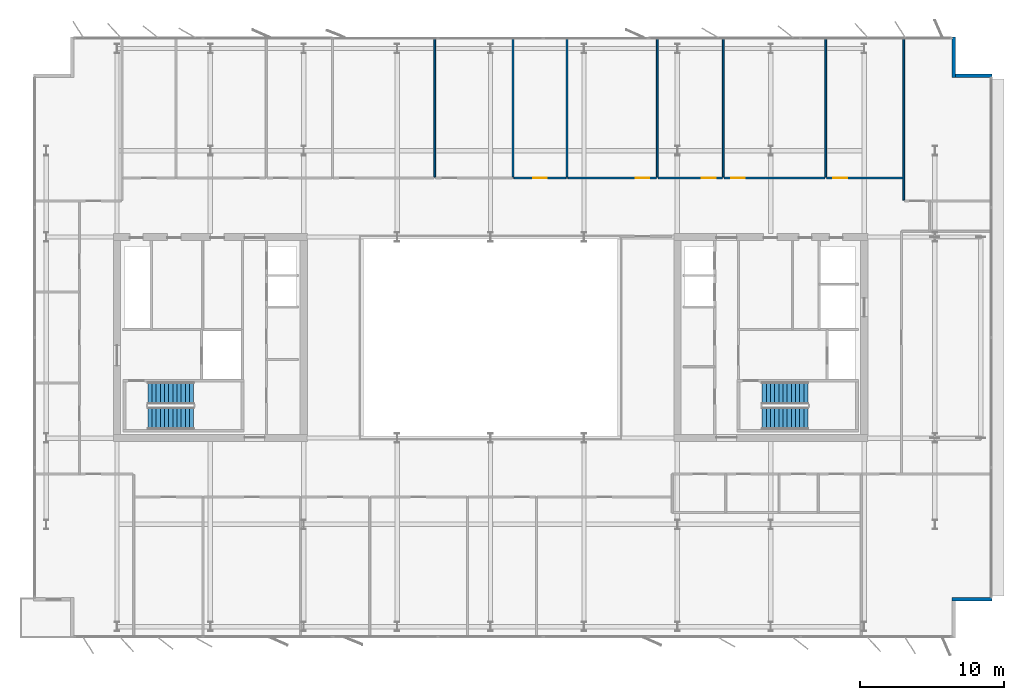
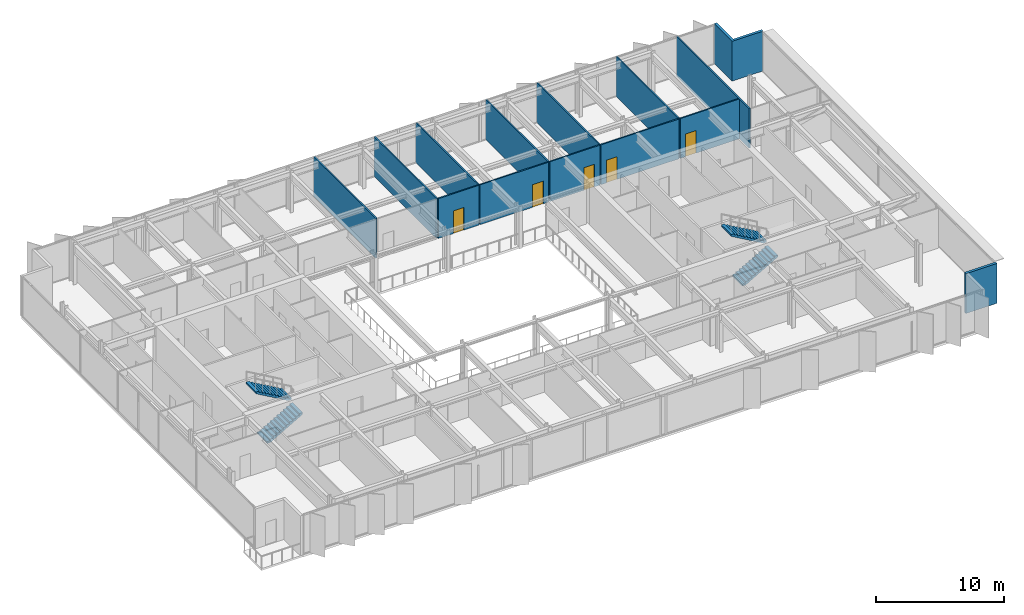
# One storey, part 16 of 20: 15 walls, 5 doors, 4 stair flights, 5 openings, 2 elements without a shape of their own.
"""IFC4 building model written with IfcOpenShell, lengths in metres."""

from ifc_helpers import new_model, si_unit, direction, frame, frame_2d, origin, place, context, subcontext, project, spatial, polyline, rectangle, outline, extrude, material, layer, layer_set, type_object, element, fill, aggregate, save


model = new_model("IFC4")

# Units and contexts
model_context = context("Model", 3, precision=1e-05, world=origin(), true_north=direction((0.0, 1.0)))
body_context = subcontext(model_context, "Body", "Model", "MODEL_VIEW")
ifc_project = project(units=[si_unit("LENGTHUNIT", "METRE"), si_unit("AREAUNIT", "SQUARE_METRE"), si_unit("VOLUMEUNIT", "CUBIC_METRE"), si_unit("PLANEANGLEUNIT", "RADIAN"), si_unit("MASSUNIT", "GRAM", prefix="KILO")], contexts=[model_context])

# Site, building, storey
site_placement = place(None, origin())
site = spatial("IfcSite", under=ifc_project, at=site_placement, CompositionType="ELEMENT")
building_placement = place(site_placement, origin())
building = spatial("IfcBuilding", under=site, at=building_placement, Name="Putna Gate Headquarters", CompositionType="ELEMENT")
storey_placement = place(building_placement, frame((0.0, 0.0, 298.39990234375)))
storey = spatial("IfcBuildingStorey", under=building, at=storey_placement, Name="L75", CompositionType="ELEMENT", Elevation=298.39990234375)

# Walls
ifc_material_1 = material(Name="Precast concrete C40/50", Category="concrete")
ifc_layer_1 = layer(ifc_material_1, 0.239990234375)
ifc_layer_set_1 = layer_set([ifc_layer_1], Name="Precast concrete C40/50")
wall_type_1 = type_object("IfcWallType", Name="WALL-EXT-TERR-240", PredefinedType="STANDARD", material=ifc_layer_set_1)
for number, where, z_axis, x_axis, name in (
    (1, (71.23095703125, 46.89990234375, 0.0), (0.0, 0.0, 1.0), (0.0, -1.0, 0.0), "L75 Corner Notch Return Wall NE-V"),
    (2, (71.111083984375, 44.219970703125, 0.0), (0.0, 0.0, 1.0), (1.0, 0.0, 0.0), "L75 Corner Notch Return Wall NE-H"),
    (3, (73.910888671875, 7.780029296875, 0.0), (0.0, 0.0, 1.0), (-1.0, 0.0, 0.0), "L75 Corner Notch Return Wall SE-H"),
):
    element("IfcWall", number, at=place(storey_placement, frame(where, z_axis=z_axis, x_axis=x_axis)), inside=storey, type_object=wall_type_1, Name=name, PredefinedType="STANDARD", context=body_context, shape_type="SweptSolid", body=[
        extrude(rectangle(XDim=2.7998046875, YDim=0.239990234375, at=frame_2d((1.39990234375, 0.0))), origin(), (0.0, 0.0, 1.0), 3.7880859375),
    ])
ifc_material_2 = material(Name="Acoustic gypsum board on metal stud")
ifc_layer_2 = layer(ifc_material_2, 0.1201171875)
ifc_layer_set_2 = layer_set([ifc_layer_2], Name="Acoustic gypsum board on metal stud")
wall_type_2 = type_object("IfcWallType", Name="WALL-PART-120", PredefinedType="PARTITIONING", material=ifc_layer_set_2)
for number, where, z_axis, x_axis, name in (
    (4, (35.11474609375, 37.159912109375, 0.0), (0.0, 0.0, 1.0), (0.0, 1.0, 0.0), "L75 Interior Wall PART-L75-NB-DIV-05"),
    (5, (40.555419921875, 37.159912109375, 0.0), (0.0, 0.0, 1.0), (0.0, 1.0, 0.0), "L75 Interior Wall PART-L75-NB-DIV-06"),
    (6, (44.317626953125, 37.159912109375, 0.0), (0.0, 0.0, 1.0), (0.0, 1.0, 0.0), "L75 Interior Wall PART-L75-NB-DIV-07"),
    (7, (50.594482421875, 37.159912109375, 0.0), (0.0, 0.0, 1.0), (0.0, 1.0, 0.0), "L75 Interior Wall PART-L75-NB-DIV-08"),
    (8, (55.19921875, 37.159912109375, 0.0), (0.0, 0.0, 1.0), (0.0, 1.0, 0.0), "L75 Interior Wall PART-L75-NB-DIV-09"),
    (9, (62.318603515625, 37.159912109375, 0.0), (0.0, 0.0, 1.0), (0.0, 1.0, 0.0), "L75 Interior Wall PART-L75-NB-DIV-10"),
):
    element("IfcWall", number, at=place(storey_placement, frame(where, z_axis=z_axis, x_axis=x_axis)), inside=storey, type_object=wall_type_2, Name=name, PredefinedType="PARTITIONING", context=body_context, shape_type="SweptSolid", body=[
        extrude(rectangle(XDim=9.719970703125, YDim=0.1201171875, at=frame_2d((4.85986328125, 0.0))), origin(), (0.0, 0.0, 1.0), 3.7880859375),
    ])
wall_1_placement = place(storey_placement, frame((67.759521484375, 35.56005859375, 0.0), z_axis=(0.0, 0.0, 1.0), x_axis=(0.0, 1.0, 0.0)))
element("IfcWall", 10, at=wall_1_placement, inside=storey, type_object=wall_type_2, Name="L75 Interior Wall PART-L75-NB-DIV-11", PredefinedType="PARTITIONING", context=body_context, shape_type="SweptSolid", body=[
    extrude(rectangle(XDim=11.31982421875, YDim=0.1201171875, at=frame_2d((5.659912109375, 0.0))), origin(), (0.0, 0.0, 1.0), 3.7880859375),
])

# Wall, opening, door
ifc_material_3 = material(Name="Fire-rated gypsum board on metal stud")
ifc_layer_3 = layer(ifc_material_3, 0.1201171875)
ifc_layer_set_3 = layer_set([ifc_layer_3], Name="Fire-rated gypsum board on metal stud")
wall_type_3 = type_object("IfcWallType", Name="WALL-PART-120-RATED", PredefinedType="PARTITIONING", material=ifc_layer_set_3)
wall_2_placement = place(storey_placement, frame((40.615478515625, 37.10009765625, 0.0), z_axis=(0.0, 0.0, 1.0), x_axis=(1.0, 0.0, 0.0)))
wall_2 = element("IfcWall", 11, at=wall_2_placement, inside=storey, type_object=wall_type_3, Name="L75 Interior Wall PART-L75-NB-CW-07", PredefinedType="PARTITIONING", context=body_context, shape_type="SweptSolid", body=[
    extrude(rectangle(XDim=3.64208984375, YDim=0.1201171875, at=frame_2d((1.821044921875, 0.0))), origin(), (0.0, 0.0, 1.0), 3.7880859375),
])
opening_1_placement = place(wall_2_placement, frame((1.345947265625, 0.0, 0.0)))
opening_1 = element("IfcOpeningElement", 12, at=opening_1_placement, cuts=wall_2, Name="Opening FD-95", PredefinedType="OPENING", context=body_context, shape_type="SweptSolid", body=[
    extrude(rectangle(XDim=0.949951171875, YDim=2.14990234375, at=frame_2d((0.47509765625, 1.074951171875))), frame((0.0, 0.070068359375, 0.0), z_axis=(0.0, -1.0, 0.0), x_axis=(1.0, 0.0, 0.0)), (0.0, 0.0, 1.0), 0.14013671875),
])
ifc_material_4 = material(Name="Acoustic timber fire door", Category="wood")
door_type = type_object("IfcDoorType", Name="DOOR-FIRE-950", OperationType="NOTDEFINED", PredefinedType="DOOR", material=ifc_material_4)
door_1_placement = place(opening_1_placement, origin())
door_1 = element("IfcDoor", 13, at=door_1_placement, inside=storey, type_object=door_type, Name="L75 Cellular Office 3 Door", OperationType="SINGLE_SWING_RIGHT", OverallHeight=2.14990234375, OverallWidth=0.949951171875, PredefinedType="DOOR", context=body_context, shape_type="SweptSolid", body=[
    extrude(rectangle(XDim=0.949951171875, YDim=2.14990234375, at=frame_2d((0.47509765625, 1.074951171875))), frame((0.0, 0.02490234375, 0.0), z_axis=(0.0, -1.0, 0.0), x_axis=(1.0, 0.0, 0.0)), (0.0, 0.0, 1.0), 0.050048828125),
])
fill(opening_1, door_1)

wall_3_placement = place(storey_placement, frame((44.377685546875, 37.10009765625, 0.0), z_axis=(0.0, 0.0, 1.0), x_axis=(1.0, 0.0, 0.0)))
wall_3 = element("IfcWall", 14, at=wall_3_placement, inside=storey, type_object=wall_type_3, Name="L75 Interior Wall PART-L75-NB-CW-08", PredefinedType="PARTITIONING", context=body_context, shape_type="SweptSolid", body=[
    extrude(rectangle(XDim=6.15673828125, YDim=0.1201171875, at=frame_2d((3.078369140625, 0.0))), origin(), (0.0, 0.0, 1.0), 3.7880859375),
])
opening_2_placement = place(wall_3_placement, frame((4.726806640625, 0.0, 0.0)))
opening_2 = element("IfcOpeningElement", 15, at=opening_2_placement, cuts=wall_3, Name="Opening FD-95", PredefinedType="OPENING", context=body_context, shape_type="SweptSolid", body=[
    extrude(rectangle(XDim=0.949951171875, YDim=2.14990234375, at=frame_2d((0.47509765625, 1.074951171875))), frame((0.0, 0.070068359375, 0.0), z_axis=(0.0, -1.0, 0.0), x_axis=(1.0, 0.0, 0.0)), (0.0, 0.0, 1.0), 0.14013671875),
])
door_2_placement = place(opening_2_placement, origin())
door_2 = element("IfcDoor", 16, at=door_2_placement, inside=storey, type_object=door_type, Name="L75 Cellular Office 4 Door", OperationType="SINGLE_SWING_LEFT", OverallHeight=2.14990234375, OverallWidth=0.949951171875, PredefinedType="DOOR", context=body_context, shape_type="SweptSolid", body=[
    extrude(rectangle(XDim=0.949951171875, YDim=2.14990234375, at=frame_2d((0.47509765625, 1.074951171875))), frame((0.0, 0.02490234375, 0.0), z_axis=(0.0, -1.0, 0.0), x_axis=(1.0, 0.0, 0.0)), (0.0, 0.0, 1.0), 0.050048828125),
])
fill(opening_2, door_2)

wall_4_placement = place(storey_placement, frame((50.654296875, 37.10009765625, 0.0), z_axis=(0.0, 0.0, 1.0), x_axis=(1.0, 0.0, 0.0)))
wall_4 = element("IfcWall", 17, at=wall_4_placement, inside=storey, type_object=wall_type_3, Name="L75 Interior Wall PART-L75-NB-CW-09", PredefinedType="PARTITIONING", context=body_context, shape_type="SweptSolid", body=[
    extrude(rectangle(XDim=4.48486328125, YDim=0.1201171875, at=frame_2d((2.242431640625, 0.0))), origin(), (0.0, 0.0, 1.0), 3.7880859375),
])
opening_3_placement = place(wall_4_placement, frame((3.0546875, 0.0, 0.0)))
opening_3 = element("IfcOpeningElement", 18, at=opening_3_placement, cuts=wall_4, Name="Opening FD-95", PredefinedType="OPENING", context=body_context, shape_type="SweptSolid", body=[
    extrude(rectangle(XDim=0.949951171875, YDim=2.14990234375, at=frame_2d((0.47509765625, 1.074951171875))), frame((0.0, 0.070068359375, 0.0), z_axis=(0.0, -1.0, 0.0), x_axis=(1.0, 0.0, 0.0)), (0.0, 0.0, 1.0), 0.14013671875),
])
door_3_placement = place(opening_3_placement, origin())
door_3 = element("IfcDoor", 19, at=door_3_placement, inside=storey, type_object=door_type, Name="L75 Cellular Office 5 Door", OperationType="SINGLE_SWING_RIGHT", OverallHeight=2.14990234375, OverallWidth=0.949951171875, PredefinedType="DOOR", context=body_context, shape_type="SweptSolid", body=[
    extrude(rectangle(XDim=0.949951171875, YDim=2.14990234375, at=frame_2d((0.47509765625, 1.074951171875))), frame((0.0, 0.02490234375, 0.0), z_axis=(0.0, -1.0, 0.0), x_axis=(1.0, 0.0, 0.0)), (0.0, 0.0, 1.0), 0.050048828125),
])
fill(opening_3, door_3)

wall_5_placement = place(storey_placement, frame((55.25927734375, 37.10009765625, 0.0), z_axis=(0.0, 0.0, 1.0), x_axis=(1.0, 0.0, 0.0)))
wall_5 = element("IfcWall", 20, at=wall_5_placement, inside=storey, type_object=wall_type_3, Name="L75 Interior Wall PART-L75-NB-CW-10", PredefinedType="PARTITIONING", context=body_context, shape_type="SweptSolid", body=[
    extrude(rectangle(XDim=6.999267578125, YDim=0.1201171875, at=frame_2d((3.49951171875, 0.0))), origin(), (0.0, 0.0, 1.0), 3.7880859375),
])
opening_4_placement = place(wall_5_placement, frame((0.47998046875, 0.0, 0.0)))
opening_4 = element("IfcOpeningElement", 21, at=opening_4_placement, cuts=wall_5, Name="Opening FD-95", PredefinedType="OPENING", context=body_context, shape_type="SweptSolid", body=[
    extrude(rectangle(XDim=0.949951171875, YDim=2.14990234375, at=frame_2d((0.47509765625, 1.074951171875))), frame((0.0, 0.070068359375, 0.0), z_axis=(0.0, -1.0, 0.0), x_axis=(1.0, 0.0, 0.0)), (0.0, 0.0, 1.0), 0.14013671875),
])
door_4_placement = place(opening_4_placement, origin())
door_4 = element("IfcDoor", 22, at=door_4_placement, inside=storey, type_object=door_type, Name="L75 Cellular Office 6 Door", OperationType="SINGLE_SWING_LEFT", OverallHeight=2.14990234375, OverallWidth=0.949951171875, PredefinedType="DOOR", context=body_context, shape_type="SweptSolid", body=[
    extrude(rectangle(XDim=0.949951171875, YDim=2.14990234375, at=frame_2d((0.47509765625, 1.074951171875))), frame((0.0, 0.02490234375, 0.0), z_axis=(0.0, -1.0, 0.0), x_axis=(1.0, 0.0, 0.0)), (0.0, 0.0, 1.0), 0.050048828125),
])
fill(opening_4, door_4)

wall_6_placement = place(storey_placement, frame((62.378662109375, 37.10009765625, 0.0), z_axis=(0.0, 0.0, 1.0), x_axis=(1.0, 0.0, 0.0)))
wall_6 = element("IfcWall", 23, at=wall_6_placement, inside=storey, type_object=wall_type_3, Name="L75 Interior Wall PART-L75-NB-CW-11", PredefinedType="PARTITIONING", context=body_context, shape_type="SweptSolid", body=[
    extrude(rectangle(XDim=5.32080078125, YDim=0.1201171875, at=frame_2d((2.660400390625, 0.0))), origin(), (0.0, 0.0, 1.0), 3.7880859375),
])
opening_5_placement = place(wall_6_placement, frame((0.47998046875, 0.0, 0.0)))
opening_5 = element("IfcOpeningElement", 24, at=opening_5_placement, cuts=wall_6, Name="Opening FD-95", PredefinedType="OPENING", context=body_context, shape_type="SweptSolid", body=[
    extrude(rectangle(XDim=0.949951171875, YDim=2.14990234375, at=frame_2d((0.47509765625, 1.074951171875))), frame((0.0, 0.070068359375, 0.0), z_axis=(0.0, -1.0, 0.0), x_axis=(1.0, 0.0, 0.0)), (0.0, 0.0, 1.0), 0.14013671875),
])
door_5_placement = place(opening_5_placement, origin())
door_5 = element("IfcDoor", 25, at=door_5_placement, inside=storey, type_object=door_type, Name="L75 Cellular Office 7 Door", OperationType="SINGLE_SWING_RIGHT", OverallHeight=2.14990234375, OverallWidth=0.949951171875, PredefinedType="DOOR", context=body_context, shape_type="SweptSolid", body=[
    extrude(rectangle(XDim=0.949951171875, YDim=2.14990234375, at=frame_2d((0.47509765625, 1.074951171875))), frame((0.0, 0.02490234375, 0.0), z_axis=(0.0, -1.0, 0.0), x_axis=(1.0, 0.0, 0.0)), (0.0, 0.0, 1.0), 0.050048828125),
])
fill(opening_5, door_5)

# Stair, stair flights
ifc_material_5 = material(Name="Concrete C40/50", Category="concrete")
stair_type_1 = type_object("IfcStairType", Name="STAIR-ST1", PredefinedType="HALF_TURN_STAIR", material=ifc_material_5)
stair_1_placement = place(storey_placement, origin())
stair_1 = element("IfcStair", 26, at=stair_1_placement, inside=storey, type_object=stair_type_1, Name="L75 West Core Exit Stair ST1", PredefinedType="HALF_TURN_STAIR")
stair_flight_type_1 = type_object("IfcStairFlightType", Name="FLIGHT-ST1", PredefinedType="STRAIGHT", material=ifc_material_5)
stair_flight_1_placement = place(storey_placement, frame((15.14990234375, 20.375, 0.0), z_axis=(0.0, 0.0, 1.0), x_axis=(1.0, 0.0, 0.0)))
stair_flight_1 = element("IfcStairFlight", 27, at=stair_flight_1_placement, type_object=stair_flight_type_1, Name="ST1 flight 1", NumberOfRisers=12, NumberOfTreads=11, PredefinedType="STRAIGHT", RiserHeight=0.166666667, TreadLength=0.29, context=body_context, shape_type="SweptSolid", body=[
    extrude(outline(polyline([(0.0, 0.0), (0.0, 0.166748046875), (0.2900390625, 0.166748046875), (0.2900390625, 0.333251953125), (0.580078125, 0.333251953125), (0.580078125, 0.5), (0.8701171875, 0.5), (0.8701171875, 0.666748046875), (1.159912109375, 0.666748046875), (1.159912109375, 0.833251953125), (1.449951171875, 0.833251953125), (1.449951171875, 1.0), (1.739990234375, 1.0), (1.739990234375, 1.166748046875), (2.030029296875, 1.166748046875), (2.030029296875, 1.333251953125), (2.320068359375, 1.333251953125), (2.320068359375, 1.5), (2.610107421875, 1.5), (2.610107421875, 1.666748046875), (2.89990234375, 1.666748046875), (2.89990234375, 1.833251953125), (3.18994140625, 1.833251953125), (3.18994140625, 2.0), (3.18994140625, 1.660400390625), (0.30078125, 0.0), (0.0, 0.0)])), frame((0.0, 0.77490234375, 0.0), z_axis=(0.0, -1.0, 0.0), x_axis=(1.0, 0.0, 0.0)), (0.0, 0.0, 1.0), 1.550048828125),
])
stair_flight_2_placement = place(storey_placement, frame((18.340087890625, 22.125, 2.0), z_axis=(0.0, 0.0, 1.0), x_axis=(-1.0, 0.0, 0.0)))
stair_flight_2 = element("IfcStairFlight", 28, at=stair_flight_2_placement, type_object=stair_flight_type_1, Name="ST1 flight 2", NumberOfRisers=12, NumberOfTreads=11, PredefinedType="STRAIGHT", RiserHeight=0.166666667, TreadLength=0.29, context=body_context, shape_type="SweptSolid", body=[
    extrude(outline(polyline([(0.0, 0.0), (0.0, 0.166748046875), (0.2900390625, 0.166748046875), (0.2900390625, 0.333251953125), (0.580078125, 0.333251953125), (0.580078125, 0.5), (0.8701171875, 0.5), (0.8701171875, 0.666748046875), (1.159912109375, 0.666748046875), (1.159912109375, 0.833251953125), (1.449951171875, 0.833251953125), (1.449951171875, 1.0), (1.739990234375, 1.0), (1.739990234375, 1.166748046875), (2.030029296875, 1.166748046875), (2.030029296875, 1.333251953125), (2.320068359375, 1.333251953125), (2.320068359375, 1.5), (2.610107421875, 1.5), (2.610107421875, 1.666748046875), (2.89990234375, 1.666748046875), (2.89990234375, 1.833251953125), (3.18994140625, 1.833251953125), (3.18994140625, 2.0), (3.18994140625, 1.660400390625), (0.30078125, 0.0), (0.0, 0.0)])), frame((0.0, 0.77490234375, 0.0), z_axis=(0.0, -1.0, 0.0), x_axis=(1.0, 0.0, 0.0)), (0.0, 0.0, 1.0), 1.550048828125),
])
aggregate(stair_1, [stair_flight_1, stair_flight_2])

stair_type_2 = type_object("IfcStairType", Name="STAIR-ST2", PredefinedType="HALF_TURN_STAIR", material=ifc_material_5)
stair_2_placement = place(storey_placement, origin())
stair_2 = element("IfcStair", 29, at=stair_2_placement, inside=storey, type_object=stair_type_2, Name="L75 East Core Exit Stair ST2", PredefinedType="HALF_TURN_STAIR")
stair_flight_type_2 = type_object("IfcStairFlightType", Name="FLIGHT-ST2", PredefinedType="STRAIGHT", material=ifc_material_5)
stair_flight_3_placement = place(storey_placement, frame((57.89990234375, 20.375, 0.0), z_axis=(0.0, 0.0, 1.0), x_axis=(1.0, 0.0, 0.0)))
stair_flight_3 = element("IfcStairFlight", 30, at=stair_flight_3_placement, type_object=stair_flight_type_2, Name="ST2 flight 1", NumberOfRisers=12, NumberOfTreads=11, PredefinedType="STRAIGHT", RiserHeight=0.166666667, TreadLength=0.29, context=body_context, shape_type="SweptSolid", body=[
    extrude(outline(polyline([(0.0, 0.0), (0.0, 0.166748046875), (0.2900390625, 0.166748046875), (0.2900390625, 0.333251953125), (0.580078125, 0.333251953125), (0.580078125, 0.5), (0.8701171875, 0.5), (0.8701171875, 0.666748046875), (1.159912109375, 0.666748046875), (1.159912109375, 0.833251953125), (1.449951171875, 0.833251953125), (1.449951171875, 1.0), (1.739990234375, 1.0), (1.739990234375, 1.166748046875), (2.030029296875, 1.166748046875), (2.030029296875, 1.333251953125), (2.320068359375, 1.333251953125), (2.320068359375, 1.5), (2.610107421875, 1.5), (2.610107421875, 1.666748046875), (2.89990234375, 1.666748046875), (2.89990234375, 1.833251953125), (3.18994140625, 1.833251953125), (3.18994140625, 2.0), (3.18994140625, 1.660400390625), (0.30078125, 0.0), (0.0, 0.0)])), frame((0.0, 0.77490234375, 0.0), z_axis=(0.0, -1.0, 0.0), x_axis=(1.0, 0.0, 0.0)), (0.0, 0.0, 1.0), 1.550048828125),
])
stair_flight_4_placement = place(storey_placement, frame((61.090087890625, 22.125, 2.0), z_axis=(0.0, 0.0, 1.0), x_axis=(-1.0, 0.0, 0.0)))
stair_flight_4 = element("IfcStairFlight", 31, at=stair_flight_4_placement, type_object=stair_flight_type_2, Name="ST2 flight 2", NumberOfRisers=12, NumberOfTreads=11, PredefinedType="STRAIGHT", RiserHeight=0.166666667, TreadLength=0.29, context=body_context, shape_type="SweptSolid", body=[
    extrude(outline(polyline([(0.0, 0.0), (0.0, 0.166748046875), (0.2900390625, 0.166748046875), (0.2900390625, 0.333251953125), (0.580078125, 0.333251953125), (0.580078125, 0.5), (0.8701171875, 0.5), (0.8701171875, 0.666748046875), (1.159912109375, 0.666748046875), (1.159912109375, 0.833251953125), (1.449951171875, 0.833251953125), (1.449951171875, 1.0), (1.739990234375, 1.0), (1.739990234375, 1.166748046875), (2.030029296875, 1.166748046875), (2.030029296875, 1.333251953125), (2.320068359375, 1.333251953125), (2.320068359375, 1.5), (2.610107421875, 1.5), (2.610107421875, 1.666748046875), (2.89990234375, 1.666748046875), (2.89990234375, 1.833251953125), (3.18994140625, 1.833251953125), (3.18994140625, 2.0), (3.18994140625, 1.660400390625), (0.30078125, 0.0), (0.0, 0.0)])), frame((0.0, 0.77490234375, 0.0), z_axis=(0.0, -1.0, 0.0), x_axis=(1.0, 0.0, 0.0)), (0.0, 0.0, 1.0), 1.550048828125),
])
aggregate(stair_2, [stair_flight_3, stair_flight_4])

save(model, "model.ifc")
